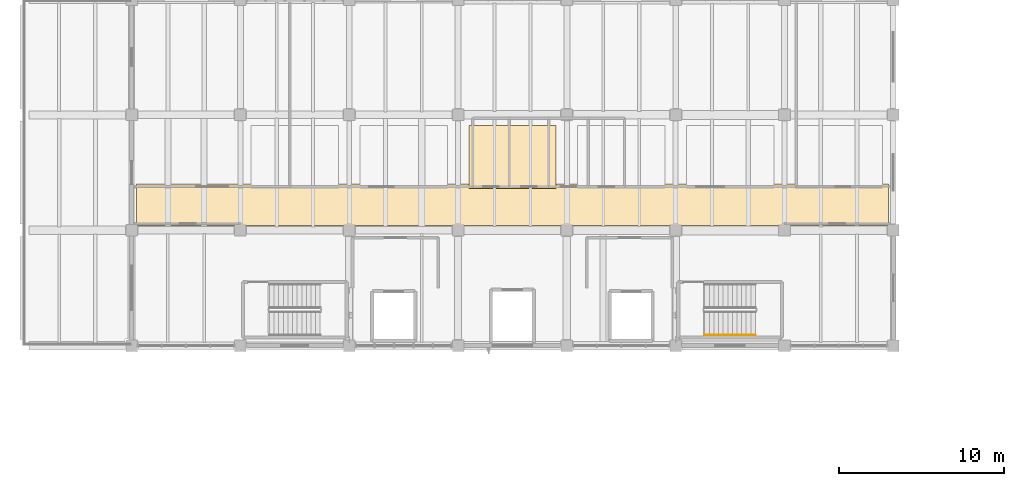
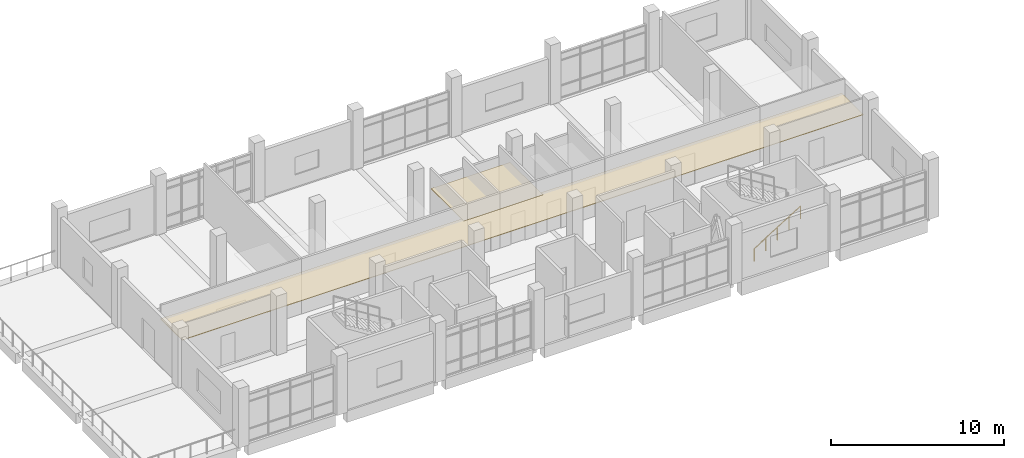
# One storey, part 18 of 20: 2 coverings, 1 railing.
"""IFC4 building model written with IfcOpenShell, lengths in metres."""

from ifc_helpers import new_model, si_unit, direction, frame, origin, origin_2d, place, context, subcontext, project, spatial, polyline, circle, outline, extrude, material, layer, layer_set, type_object, element, save


model = new_model("IFC4")

# Units and contexts
model_context = context("Model", 3, precision=1e-05, world=origin(), true_north=direction((0.0, 1.0)))
body_context = subcontext(model_context, "Body", "Model", "MODEL_VIEW")
ifc_project = project(units=[si_unit("LENGTHUNIT", "METRE"), si_unit("AREAUNIT", "SQUARE_METRE"), si_unit("VOLUMEUNIT", "CUBIC_METRE"), si_unit("PLANEANGLEUNIT", "RADIAN"), si_unit("MASSUNIT", "GRAM", prefix="KILO")], contexts=[model_context])

# Site, building, storey
site_placement = place(None, origin())
site = spatial("IfcSite", under=ifc_project, at=site_placement, CompositionType="ELEMENT")
building_placement = place(site_placement, origin())
building = spatial("IfcBuilding", under=site, at=building_placement, Name="Ciguamira Faculty of Natural Sciences", CompositionType="ELEMENT")
storey_placement = place(building_placement, frame((0.0, 0.0, 21.0)))
storey = spatial("IfcBuildingStorey", under=building, at=storey_placement, Name="L05", CompositionType="ELEMENT", Elevation=21.0)

# Coverings
ifc_material_1 = material(Name="Perforated white acoustic ceiling")
ifc_layer = layer(ifc_material_1, 0.0400390625, Name="Perforated white acoustic ceiling")
ifc_layer_set = layer_set([ifc_layer], Name="Perforated white acoustic ceiling")
covering_type = type_object("IfcCoveringType", Name="AcousticCeiling_AC01", PredefinedType="CEILING", material=ifc_layer_set)
covering_1_placement = place(storey_placement, frame((0.0, 0.0, 2.760009765625)))
element("IfcCovering", 1, at=covering_1_placement, inside=storey, type_object=covering_type, Name="L05 corridor acoustic ceiling", PredefinedType="CEILING", context=body_context, shape_type="SweptSolid", body=[
    extrude(outline(polyline([(64.199951171875, 101.300048828125), (109.800048828125, 101.300048828125), (109.800048828125, 103.800048828125), (64.199951171875, 103.800048828125), (64.199951171875, 101.300048828125)])), origin(), (0.0, 0.0, 1.0), 0.0400390625),
])
covering_2_placement = place(storey_placement, frame((0.0, 0.0, 2.760009765625)))
element("IfcCovering", 2, at=covering_2_placement, inside=storey, type_object=covering_type, Name="L05 research bay 03 acoustic ceiling", PredefinedType="CEILING", context=body_context, shape_type="SweptSolid", body=[
    extrude(outline(polyline([(84.35009765625, 103.550048828125), (89.64990234375, 103.550048828125), (89.64990234375, 107.35009765625), (84.35009765625, 107.35009765625), (84.35009765625, 103.550048828125)])), origin(), (0.0, 0.0, 1.0), 0.0400390625),
])

# Railing
ifc_material_2 = material(Name="Stainless steel handrail", Category="steel")
railing_type = type_object("IfcRailingType", Name="Handrail_HR01", PredefinedType="HANDRAIL", material=ifc_material_2)
railing_placement = place(storey_placement, frame((98.659912109375, 94.64990234375, 0.35009765625)))
element("IfcRailing", 3, at=railing_placement, inside=storey, type_object=railing_type, Name="L05 ST-T2 stair handrail 1", PredefinedType="HANDRAIL", context=body_context, shape_type="SweptSolid", body=[
    extrude(circle(Radius=0.02392578125, at=origin_2d()), frame((0.0, 0.0, 0.89111328125), z_axis=(0.848028513186, 0.0, 0.529950602248), x_axis=(0.0, 1.0, 0.0)), (0.0, 0.0, 1.0), 3.632080078125),
    extrude(circle(Radius=0.02099609375, at=origin_2d()), origin(), (0.0, 0.0, 1.0), 0.866943359375),
    extrude(circle(Radius=0.02099609375, at=origin_2d()), frame((0.77001953125, 0.0, 0.481201171875)), (0.0, 0.0, 1.0), 0.866943359375),
    extrude(circle(Radius=0.02099609375, at=origin_2d()), frame((1.5400390625, 0.0, 0.96240234375)), (0.0, 0.0, 1.0), 0.866943359375),
    extrude(circle(Radius=0.02099609375, at=origin_2d()), frame((2.31005859375, 0.0, 1.443603515625)), (0.0, 0.0, 1.0), 0.866943359375),
    extrude(circle(Radius=0.02099609375, at=origin_2d()), frame((3.080078125, 0.0, 1.9248046875)), (0.0, 0.0, 1.0), 0.866943359375),
])

save(model, "model.ifc")
